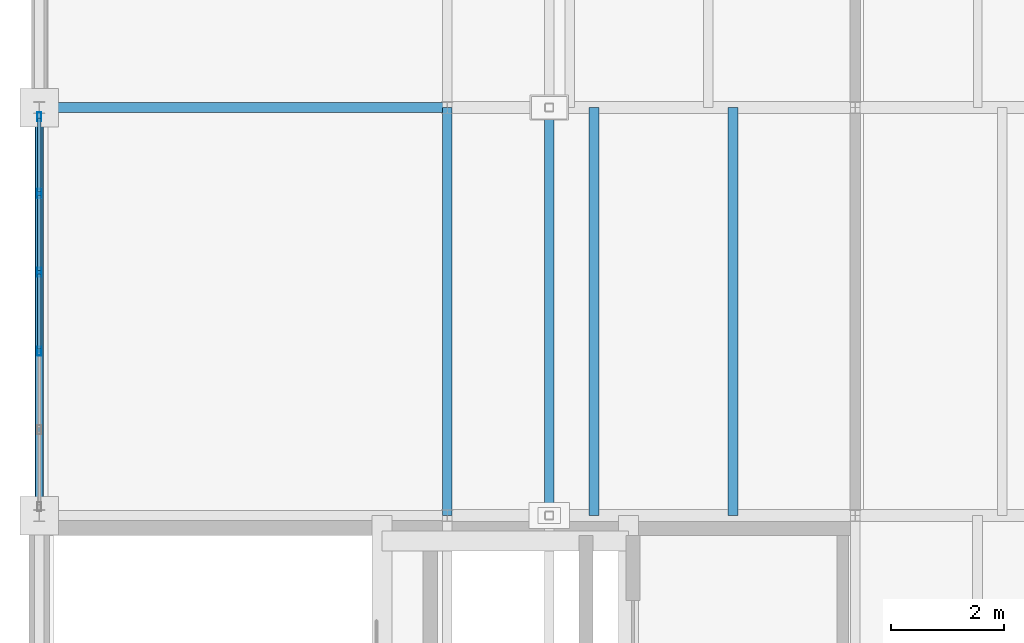
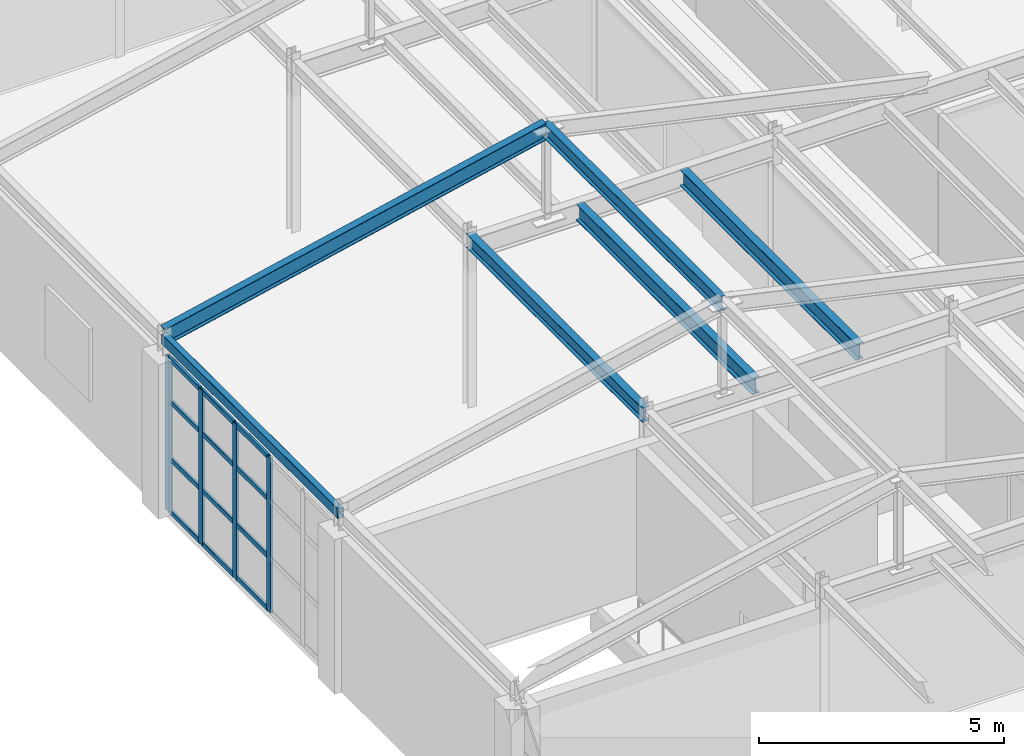
# One storey, part 17 of 43: 16 members, 6 beams, 1 element without a shape of its own.
"""IFC4 building model written with IfcOpenShell, lengths in metres."""

import ifcopenshell
import ifcopenshell.guid

model = None  # the IFC model being written
_history = None  # IfcOwnerHistory: only IFC2X3 demands one
_inside = {}  # id of a spatial element -> (the spatial element, [elements in it])
_under = {}  # id of a project, library or spatial element -> (it, [spatial elements below it])
_declared = {}  # id of a project -> (the project, [libraries it declares])
_typed = {}  # id of a type object -> (the type object, [elements of that type])
_made_of = {}  # id of a material, layer set ... -> (it, [elements and type objects made of it])


def new_model(schema):
    """Start an empty IFC model of exactly this schema.

    Asked for "IFC4X3", IfcOpenShell would pick the latest addendum, in which some entities
    have other attributes; the version numbers below select the first issue.
    IFC2X3 requires an IfcOwnerHistory on every rooted entity: one is made here for all.
    """
    global model, _history
    if schema == "IFC4X3":
        model = ifcopenshell.file(schema_version=(4, 3, 0, 0))
    else:
        model = ifcopenshell.file(schema=schema)
    _inside.clear()
    _under.clear()
    _declared.clear()
    _typed.clear()
    _made_of.clear()
    _history = None
    if model.schema == "IFC2X3":
        org = make("IfcOrganization", Name="unknown")
        user = make(
            "IfcPersonAndOrganization",
            ThePerson=make("IfcPerson", FamilyName="unknown"),
            TheOrganization=org,
        )
        app = make(
            "IfcApplication",
            ApplicationDeveloper=org,
            Version="unknown",
            ApplicationFullName="unknown",
            ApplicationIdentifier="unknown",
        )
        _history = make(
            "IfcOwnerHistory",
            OwningUser=user,
            OwningApplication=app,
            ChangeAction="ADDED",
            CreationDate=0,
        )
    return model


def make(cls, **values):
    """One entity of the class cls with the attributes given. An attribute that is None is left unset."""
    return model.create_entity(
        cls, **{name: value for name, value in values.items() if value is not None}
    )


def rooted(cls, **values):
    """An entity with a GlobalId (a new one), such as an element, a storey or a relation."""
    return make(cls, GlobalId=ifcopenshell.guid.new(), OwnerHistory=_history, **values)


def si_unit(unit_type, name, prefix=None):
    """IfcSIUnit, for example si_unit("LENGTHUNIT", "METRE", prefix="MILLI")."""
    return make("IfcSIUnit", UnitType=unit_type, Prefix=prefix, Name=name)


def assignment(units):
    """IfcUnitAssignment: the units of a project."""
    return None if units is None else make("IfcUnitAssignment", Units=units)


def point(xyz):
    """IfcCartesianPoint."""
    return None if xyz is None else make("IfcCartesianPoint", Coordinates=xyz)


def direction(xyz):
    """IfcDirection."""
    return None if xyz is None else make("IfcDirection", DirectionRatios=xyz)


def frame(location, z_axis=None, x_axis=None):
    """IfcAxis2Placement3D, a coordinate frame: its origin and axes. An axis left out is left unset."""
    return make(
        "IfcAxis2Placement3D",
        Location=point(location),
        Axis=direction(z_axis),
        RefDirection=direction(x_axis),
    )


def frame_2d(location, x_axis=None):
    """IfcAxis2Placement2D, a coordinate frame in the plane: its origin and x axis."""
    return make(
        "IfcAxis2Placement2D", Location=point(location), RefDirection=direction(x_axis)
    )


def origin():
    """The frame at (0, 0, 0) with its axes left unset."""
    return frame((0.0, 0.0, 0.0))


def origin_2d():
    """The frame at (0, 0) in the plane with its x axis left unset."""
    return frame_2d((0.0, 0.0))


def place(relative_to, where):
    """IfcLocalPlacement: puts the frame where relative to a parent placement (None: the world)."""
    return make(
        "IfcLocalPlacement", PlacementRelTo=relative_to, RelativePlacement=where
    )


def context(
    kind, dimensions, precision=None, world=None, true_north=None, identifier=None
):
    """IfcGeometricRepresentationContext, for example the 3D "Model" context."""
    return make(
        "IfcGeometricRepresentationContext",
        ContextIdentifier=identifier,
        ContextType=kind,
        CoordinateSpaceDimension=dimensions,
        Precision=precision,
        WorldCoordinateSystem=world,
        TrueNorth=true_north,
    )


def subcontext(parent, identifier, kind, view, scale=None):
    """IfcGeometricRepresentationSubContext, for example "Body" below "Model"."""
    return make(
        "IfcGeometricRepresentationSubContext",
        ContextIdentifier=identifier,
        ContextType=kind,
        ParentContext=parent,
        TargetScale=scale,
        TargetView=view,
    )


def project(units=None, contexts=None):
    """IfcProject with its units and contexts."""
    return rooted(
        "IfcProject",
        Name="project",
        RepresentationContexts=contexts,
        UnitsInContext=assignment(units),
    )


def spatial(cls, under=None, at=None, **own):
    """A site, building, storey or space (cls), placed at a placement, below another one or the project."""
    s = rooted(cls, ObjectPlacement=at, **own)
    if under is not None:
        _under.setdefault(under.id(), (under, []))[1].append(s)
    return s


def profile(cls, at=None, kind="AREA", **sizes):
    """A parametric profile (cls). Its sizes go by their IFC names, for example OverallWidth=200.0."""
    return make(cls, ProfileType=kind, Position=at, **sizes)


def hollow_rectangle(**sizes):
    """IfcRectangleHollowProfileDef."""
    return profile("IfcRectangleHollowProfileDef", **sizes)


def i_section(**sizes):
    """IfcIShapeProfileDef."""
    return profile("IfcIShapeProfileDef", **sizes)


def extrude(swept, where, along, depth):
    """IfcExtrudedAreaSolid: the profile swept, set in the frame where, extruded along a direction by depth."""
    return make(
        "IfcExtrudedAreaSolid",
        SweptArea=swept,
        Position=where,
        ExtrudedDirection=direction(along),
        Depth=depth,
    )


def shape(context_of_items, identifier, shape_type, items):
    """IfcShapeRepresentation: the items that make up one representation, for example the "Body"."""
    return make(
        "IfcShapeRepresentation",
        ContextOfItems=context_of_items,
        RepresentationIdentifier=identifier,
        RepresentationType=shape_type,
        Items=items,
    )


def material(Name=None, Category=None):
    """IfcMaterial."""
    return make("IfcMaterial", Name=Name, Category=Category)


def layer(
    of_material, thickness, ventilated=None, Name=None, Category=None, Priority=None
):
    """IfcMaterialLayer: one layer of a wall or slab, of a material (None: an air gap)."""
    return make(
        "IfcMaterialLayer",
        Material=of_material,
        LayerThickness=thickness,
        IsVentilated=ventilated,
        Name=Name,
        Category=Category,
        Priority=Priority,
    )


def layer_set(layers, Name=None):
    """IfcMaterialLayerSet."""
    return make("IfcMaterialLayerSet", MaterialLayers=layers, LayerSetName=Name)


def material_profile(
    of_material, cross_section, Name=None, Category=None, Priority=None
):
    """IfcMaterialProfile: a cross section and its material."""
    return make(
        "IfcMaterialProfile",
        Name=Name,
        Material=of_material,
        Profile=cross_section,
        Priority=Priority,
        Category=Category,
    )


def profile_set(profiles, Name=None, composite=None):
    """IfcMaterialProfileSet."""
    return make(
        "IfcMaterialProfileSet",
        Name=Name,
        MaterialProfiles=profiles,
        CompositeProfile=composite,
    )


def made_of(thing, what):
    """Note that an element or type object is made of a material, layer set ...; save() writes the relation."""
    if what is not None:
        _made_of.setdefault(what.id(), (what, []))[1].append(thing)
    return thing


def type_object(cls, material=None, **own):
    """A type object (cls), such as IfcWallType, which elements share."""
    return made_of(rooted(cls, **own), material)


def element(
    cls,
    number,
    at=None,
    inside=None,
    cuts=None,
    type_object=None,
    material=None,
    context=None,
    identifier="Body",
    shape_type=None,
    held_by="IfcProductDefinitionShape",
    body=None,
    shapes=None,
    **own,
):
    """One element of the class cls, such as IfcWall. Its Tag is "e" and its number.

    at: its placement. inside: the storey or other place that contains it. cuts: it is an
    opening in that element (IfcRelVoidsElement). A single representation is given by context,
    identifier, shape_type and body (its items); several are given by shapes. held_by: the class
    of the entity that holds the representations. save() writes the other relations.
    """
    e = rooted(cls, Tag="e%d" % number, ObjectPlacement=at, **own)
    if body is not None:
        shapes = [shape(context, identifier, shape_type, body)]
    if shapes is not None:
        e.Representation = make(held_by, Representations=shapes)
    if inside is not None:
        _inside.setdefault(inside.id(), (inside, []))[1].append(e)
    if cuts is not None:
        rooted(
            "IfcRelVoidsElement", RelatingBuildingElement=cuts, RelatedOpeningElement=e
        )
    if type_object is not None:
        _typed.setdefault(type_object.id(), (type_object, []))[1].append(e)
    return made_of(e, material)


def aggregate(whole, parts):
    """IfcRelAggregates: a whole, such as a stair, and the parts it consists of."""
    return rooted("IfcRelAggregates", RelatingObject=whole, RelatedObjects=parts)


def save(model, path):
    """Write the relations noted so far, then the file.

    IfcRelAggregates (storeys below a building ...), IfcRelContainedInSpatialStructure (elements
    in a storey), IfcRelDefinesByType, IfcRelAssociatesMaterial and IfcRelDeclares: one each for
    every whole, place, type object, material and project.
    """
    for whole, parts in _under.values():
        aggregate(whole, parts)
    for where, things in _inside.values():
        rooted(
            "IfcRelContainedInSpatialStructure",
            RelatedElements=things,
            RelatingStructure=where,
        )
    for kind, things in _typed.values():
        rooted("IfcRelDefinesByType", RelatedObjects=things, RelatingType=kind)
    for what, things in _made_of.values():
        rooted("IfcRelAssociatesMaterial", RelatedObjects=things, RelatingMaterial=what)
    for by, libraries in _declared.values():
        rooted("IfcRelDeclares", RelatingContext=by, RelatedDefinitions=libraries)
    model.write(path)


model = new_model("IFC4")

# Units and contexts
model_context = context("Model", 3, precision=1e-05, world=origin(), true_north=direction((0.0, 1.0)))
body_context = subcontext(model_context, "Body", "Model", "MODEL_VIEW")
ifc_project = project(units=[si_unit("LENGTHUNIT", "METRE"), si_unit("AREAUNIT", "SQUARE_METRE"), si_unit("VOLUMEUNIT", "CUBIC_METRE"), si_unit("PLANEANGLEUNIT", "RADIAN"), si_unit("MASSUNIT", "GRAM", prefix="KILO")], contexts=[model_context])

# Site, building, storey
site_placement = place(None, origin())
site = spatial("IfcSite", under=ifc_project, at=site_placement, CompositionType="ELEMENT")
building_placement = place(site_placement, origin())
building = spatial("IfcBuilding", under=site, at=building_placement, Name="Kemerveld Promenade Tramway Depot", CompositionType="ELEMENT")
storey_placement = place(building_placement, frame((0.0, 0.0, 18.89990234375)))
storey = spatial("IfcBuildingStorey", under=building, at=storey_placement, Name="L04", CompositionType="ELEMENT", Elevation=18.89990234375)

# Beams
ifc_material_1 = material(Name="Steel S355", Category="steel")
ifc_material_profile_1 = material_profile(ifc_material_1, i_section(OverallWidth=0.1787109375, OverallDepth=0.409423828125, WebThickness=0.0087890625, FlangeThickness=0.014404296875, FilletRadius=0.01025390625, at=origin_2d()), Name="406x178x67 UB")
ifc_profile_set_1 = profile_set([ifc_material_profile_1], Name="Steel S355")
beam_type_1 = type_object("IfcBeamType", Name="BM-G07", PredefinedType="BEAM", material=ifc_profile_set_1)
beam_1_placement = place(storey_placement, frame((0.0, 28.800048828125, 4.275390625), z_axis=(0.976187060184, 0.0, 0.216930457819), x_axis=(0.0, 1.0, 0.0)))
element("IfcBeam", 1, at=beam_1_placement, inside=storey, type_object=beam_type_1, Name="RAF-V5-E-W", PredefinedType="BEAM", context=body_context, shape_type="SweptSolid", body=[
    extrude(i_section(OverallWidth=0.1787109375, OverallDepth=0.409423828125, WebThickness=0.0087890625, FlangeThickness=0.014404296875, FilletRadius=0.01025390625, at=origin_2d()), origin(), (0.0, 0.0, 1.0), 9.219482421875),
])
ifc_material_profile_2 = material_profile(ifc_material_1, i_section(OverallWidth=0.172119140625, OverallDepth=0.35791015625, WebThickness=0.008056640625, FlangeThickness=0.012939453125, FilletRadius=0.01025390625, at=origin_2d()), Name="356x171x57 UB")
ifc_profile_set_2 = profile_set([ifc_material_profile_2], Name="Steel S355")
beam_type_2 = type_object("IfcBeamType", Name="BM-G08", PredefinedType="BEAM", material=ifc_profile_set_2)
for number, where, z_axis, x_axis, name in (
    (2, (7.199951171875, 21.60009765625, 4.14111328125), (0.0, 1.0, 0.0), (-1.0, 0.0, 0.0), "BMY-L04-02-D-E"),
    (3, (9.0, 21.60009765625, 6.275390625), (0.0, 1.0, 0.0), (-1.0, 0.0, 0.0), "BM-RDG-V5-4"),
):
    element("IfcBeam", number, at=place(storey_placement, frame(where, z_axis=z_axis, x_axis=x_axis)), inside=storey, type_object=beam_type_2, Name=name, PredefinedType="BEAM", context=body_context, shape_type="SweptSolid", body=[
        extrude(i_section(OverallWidth=0.172119140625, OverallDepth=0.35791015625, WebThickness=0.008056640625, FlangeThickness=0.012939453125, FilletRadius=0.01025390625, at=origin_2d()), origin(), (0.0, 0.0, 1.0), 7.199951171875),
    ])
ifc_material_profile_3 = material_profile(ifc_material_1, i_section(OverallWidth=0.1787109375, OverallDepth=0.409423828125, WebThickness=0.0087890625, FlangeThickness=0.014404296875, FilletRadius=0.01025390625, at=origin_2d()), Name="406x178x67 UB")
ifc_profile_set_3 = profile_set([ifc_material_profile_3], Name="Steel S355")
beam_type_3 = type_object("IfcBeamType", Name="BM-J05", PredefinedType="JOIST", material=ifc_profile_set_3)
for number, where, z_axis, x_axis, name in (
    (4, (9.7919921875, 21.60009765625, 3.950439453125), (0.0, 1.0, 0.0), (-1.0, 0.0, 0.0), "JST-L04-02-D-1"),
    (5, (12.239990234375, 21.60009765625, 3.950439453125), (0.0, 1.0, 0.0), (-1.0, 0.0, 0.0), "JST-L04-02-D-2"),
):
    element("IfcBeam", number, at=place(storey_placement, frame(where, z_axis=z_axis, x_axis=x_axis)), inside=storey, type_object=beam_type_3, Name=name, PredefinedType="JOIST", context=body_context, shape_type="SweptSolid", body=[
        extrude(i_section(OverallWidth=0.1787109375, OverallDepth=0.409423828125, WebThickness=0.0087890625, FlangeThickness=0.014404296875, FilletRadius=0.01025390625, at=origin_2d()), origin(), (0.0, 0.0, 1.0), 7.199951171875),
    ])
ifc_material_profile_4 = material_profile(ifc_material_1, hollow_rectangle(XDim=0.14990234375, YDim=0.25, WallThickness=0.010009765625, InnerFilletRadius=0.0048828125, OuterFilletRadius=0.014892578125, at=origin_2d()), Name="250x150x10.0 RHS")
ifc_profile_set_4 = profile_set([ifc_material_profile_4], Name="Steel S355")
beam_type_4 = type_object("IfcBeamType", Name="BM-SP2", PredefinedType="SPANDREL", material=ifc_profile_set_4)
beam_2_placement = place(storey_placement, frame((0.0, 21.60009765625, 4.195068359375), z_axis=(0.0, 1.0, 0.0), x_axis=(-1.0, 0.0, 0.0)))
element("IfcBeam", 6, at=beam_2_placement, inside=storey, type_object=beam_type_4, Name="BMY-L04-01-D-E", PredefinedType="SPANDREL", context=body_context, shape_type="SweptSolid", body=[
    extrude(hollow_rectangle(XDim=0.14990234375, YDim=0.25, WallThickness=0.010009765625, InnerFilletRadius=0.0048828125, OuterFilletRadius=0.014892578125, at=origin_2d()), origin(), (0.0, 0.0, 1.0), 7.199951171875),
])

# Curtain wall, members
ifc_material_2 = material(Name="Bronze anodised aluminium and solar glass", Category="aluminium")
ifc_layer = layer(ifc_material_2, 0.159912109375)
ifc_layer_set = layer_set([ifc_layer], Name="CW-SYS-07")
curtain_wall_type = type_object("IfcCurtainWallType", Name="CW-SYS-07", PredefinedType="USERDEFINED", material=ifc_layer_set)
curtain_wall_placement = place(storey_placement, origin())
curtain_wall = element("IfcCurtainWall", 7, at=curtain_wall_placement, inside=storey, type_object=curtain_wall_type, Name="CW-L04-V5W-04", ObjectType="GLAZED_CURTAIN_WALL", PredefinedType="USERDEFINED")
ifc_material_3 = material(Name="Bronze anodised aluminium", Category="aluminium")
ifc_material_profile_5 = material_profile(ifc_material_3, hollow_rectangle(XDim=0.06494140625, YDim=0.159912109375, WallThickness=0.00390625, InnerFilletRadius=0.001953125, OuterFilletRadius=0.00390625, at=origin_2d()), Name="CW-MUL-160x65")
ifc_profile_set_5 = profile_set([ifc_material_profile_5], Name="Bronze anodised aluminium")
member_type_1 = type_object("IfcMemberType", Name="CW-MUL-A", PredefinedType="MULLION", material=ifc_profile_set_5)
member_1_placement = place(storey_placement, frame((0.0, 24.5048828125, 0.0), z_axis=(0.0, 0.0, 1.0), x_axis=(-1.0, 0.0, 0.0)))
member_1 = element("IfcMember", 8, at=member_1_placement, type_object=member_type_1, Name="CW07 mullion 3", PredefinedType="MULLION", context=body_context, shape_type="SweptSolid", body=[
    extrude(hollow_rectangle(XDim=0.06494140625, YDim=0.159912109375, WallThickness=0.00390625, InnerFilletRadius=0.001953125, OuterFilletRadius=0.00390625, at=origin_2d()), origin(), (0.0, 0.0, 1.0), 3.85009765625),
])
member_2_placement = place(storey_placement, frame((0.0, 25.89501953125, 0.0), z_axis=(0.0, 0.0, 1.0), x_axis=(-1.0, 0.0, 0.0)))
member_2 = element("IfcMember", 9, at=member_2_placement, type_object=member_type_1, Name="CW07 mullion 4", PredefinedType="MULLION", context=body_context, shape_type="SweptSolid", body=[
    extrude(hollow_rectangle(XDim=0.06494140625, YDim=0.159912109375, WallThickness=0.00390625, InnerFilletRadius=0.001953125, OuterFilletRadius=0.00390625, at=origin_2d()), origin(), (0.0, 0.0, 1.0), 3.85009765625),
])
member_3_placement = place(storey_placement, frame((0.0, 27.28515625, 0.0), z_axis=(0.0, 0.0, 1.0), x_axis=(-1.0, 0.0, 0.0)))
member_3 = element("IfcMember", 10, at=member_3_placement, type_object=member_type_1, Name="CW07 mullion 5", PredefinedType="MULLION", context=body_context, shape_type="SweptSolid", body=[
    extrude(hollow_rectangle(XDim=0.06494140625, YDim=0.159912109375, WallThickness=0.00390625, InnerFilletRadius=0.001953125, OuterFilletRadius=0.00390625, at=origin_2d()), origin(), (0.0, 0.0, 1.0), 3.85009765625),
])
member_4_placement = place(storey_placement, frame((0.0, 28.642578125, 0.0), z_axis=(0.0, 0.0, 1.0), x_axis=(-1.0, 0.0, 0.0)))
member_4 = element("IfcMember", 11, at=member_4_placement, type_object=member_type_1, Name="CW07 mullion 6", PredefinedType="MULLION", context=body_context, shape_type="SweptSolid", body=[
    extrude(hollow_rectangle(XDim=0.06494140625, YDim=0.159912109375, WallThickness=0.00390625, InnerFilletRadius=0.001953125, OuterFilletRadius=0.00390625, at=origin_2d()), origin(), (0.0, 0.0, 1.0), 3.85009765625),
])
ifc_material_profile_6 = material_profile(ifc_material_3, hollow_rectangle(XDim=0.06005859375, YDim=0.1201171875, WallThickness=0.00390625, InnerFilletRadius=0.001953125, OuterFilletRadius=0.00390625, at=origin_2d()), Name="CW-TRN-120x60")
ifc_profile_set_6 = profile_set([ifc_material_profile_6], Name="Bronze anodised aluminium")
member_type_2 = type_object("IfcMemberType", Name="CW-TRN-A", PredefinedType="USERDEFINED", material=ifc_profile_set_6)
member_5_placement = place(storey_placement, frame((0.0, 24.537353515625, 0.030029296875), z_axis=(0.0, 1.0, 0.0), x_axis=(-1.0, 0.0, 0.0)))
member_5 = element("IfcMember", 12, at=member_5_placement, type_object=member_type_2, Name="CW07 transom 3.1", ObjectType="TRANSOM", PredefinedType="USERDEFINED", context=body_context, shape_type="SweptSolid", body=[
    extrude(hollow_rectangle(XDim=0.06005859375, YDim=0.1201171875, WallThickness=0.00390625, InnerFilletRadius=0.001953125, OuterFilletRadius=0.00390625, at=origin_2d()), origin(), (0.0, 0.0, 1.0), 1.3251953125),
])
member_6_placement = place(storey_placement, frame((0.0, 24.537353515625, 1.34716796875), z_axis=(0.0, 1.0, 0.0), x_axis=(-1.0, 0.0, 0.0)))
member_6 = element("IfcMember", 13, at=member_6_placement, type_object=member_type_2, Name="CW07 transom 3.2", ObjectType="TRANSOM", PredefinedType="USERDEFINED", context=body_context, shape_type="SweptSolid", body=[
    extrude(hollow_rectangle(XDim=0.06005859375, YDim=0.1201171875, WallThickness=0.00390625, InnerFilletRadius=0.001953125, OuterFilletRadius=0.00390625, at=origin_2d()), origin(), (0.0, 0.0, 1.0), 1.3251953125),
])
member_7_placement = place(storey_placement, frame((0.0, 24.537353515625, 2.772216796875), z_axis=(0.0, 1.0, 0.0), x_axis=(-1.0, 0.0, 0.0)))
member_7 = element("IfcMember", 14, at=member_7_placement, type_object=member_type_2, Name="CW07 transom 3.3", ObjectType="TRANSOM", PredefinedType="USERDEFINED", context=body_context, shape_type="SweptSolid", body=[
    extrude(hollow_rectangle(XDim=0.06005859375, YDim=0.1201171875, WallThickness=0.00390625, InnerFilletRadius=0.001953125, OuterFilletRadius=0.00390625, at=origin_2d()), origin(), (0.0, 0.0, 1.0), 1.3251953125),
])
member_8_placement = place(storey_placement, frame((0.0, 24.537353515625, 3.820068359375), z_axis=(0.0, 1.0, 0.0), x_axis=(-1.0, 0.0, 0.0)))
member_8 = element("IfcMember", 15, at=member_8_placement, type_object=member_type_2, Name="CW07 transom 3.4", ObjectType="TRANSOM", PredefinedType="USERDEFINED", context=body_context, shape_type="SweptSolid", body=[
    extrude(hollow_rectangle(XDim=0.06005859375, YDim=0.1201171875, WallThickness=0.00390625, InnerFilletRadius=0.001953125, OuterFilletRadius=0.00390625, at=origin_2d()), origin(), (0.0, 0.0, 1.0), 1.3251953125),
])
member_9_placement = place(storey_placement, frame((0.0, 25.927490234375, 0.030029296875), z_axis=(0.0, 1.0, 0.0), x_axis=(-1.0, 0.0, 0.0)))
member_9 = element("IfcMember", 16, at=member_9_placement, type_object=member_type_2, Name="CW07 transom 4.1", ObjectType="TRANSOM", PredefinedType="USERDEFINED", context=body_context, shape_type="SweptSolid", body=[
    extrude(hollow_rectangle(XDim=0.06005859375, YDim=0.1201171875, WallThickness=0.00390625, InnerFilletRadius=0.001953125, OuterFilletRadius=0.00390625, at=origin_2d()), origin(), (0.0, 0.0, 1.0), 1.3251953125),
])
member_10_placement = place(storey_placement, frame((0.0, 25.927490234375, 1.34716796875), z_axis=(0.0, 1.0, 0.0), x_axis=(-1.0, 0.0, 0.0)))
member_10 = element("IfcMember", 17, at=member_10_placement, type_object=member_type_2, Name="CW07 transom 4.2", ObjectType="TRANSOM", PredefinedType="USERDEFINED", context=body_context, shape_type="SweptSolid", body=[
    extrude(hollow_rectangle(XDim=0.06005859375, YDim=0.1201171875, WallThickness=0.00390625, InnerFilletRadius=0.001953125, OuterFilletRadius=0.00390625, at=origin_2d()), origin(), (0.0, 0.0, 1.0), 1.3251953125),
])
member_11_placement = place(storey_placement, frame((0.0, 25.927490234375, 2.772216796875), z_axis=(0.0, 1.0, 0.0), x_axis=(-1.0, 0.0, 0.0)))
member_11 = element("IfcMember", 18, at=member_11_placement, type_object=member_type_2, Name="CW07 transom 4.3", ObjectType="TRANSOM", PredefinedType="USERDEFINED", context=body_context, shape_type="SweptSolid", body=[
    extrude(hollow_rectangle(XDim=0.06005859375, YDim=0.1201171875, WallThickness=0.00390625, InnerFilletRadius=0.001953125, OuterFilletRadius=0.00390625, at=origin_2d()), origin(), (0.0, 0.0, 1.0), 1.3251953125),
])
member_12_placement = place(storey_placement, frame((0.0, 25.927490234375, 3.820068359375), z_axis=(0.0, 1.0, 0.0), x_axis=(-1.0, 0.0, 0.0)))
member_12 = element("IfcMember", 19, at=member_12_placement, type_object=member_type_2, Name="CW07 transom 4.4", ObjectType="TRANSOM", PredefinedType="USERDEFINED", context=body_context, shape_type="SweptSolid", body=[
    extrude(hollow_rectangle(XDim=0.06005859375, YDim=0.1201171875, WallThickness=0.00390625, InnerFilletRadius=0.001953125, OuterFilletRadius=0.00390625, at=origin_2d()), origin(), (0.0, 0.0, 1.0), 1.3251953125),
])
member_13_placement = place(storey_placement, frame((0.0, 27.317626953125, 0.030029296875), z_axis=(0.0, 1.0, 0.0), x_axis=(-1.0, 0.0, 0.0)))
member_13 = element("IfcMember", 20, at=member_13_placement, type_object=member_type_2, Name="CW07 transom 5.1", ObjectType="TRANSOM", PredefinedType="USERDEFINED", context=body_context, shape_type="SweptSolid", body=[
    extrude(hollow_rectangle(XDim=0.06005859375, YDim=0.1201171875, WallThickness=0.00390625, InnerFilletRadius=0.001953125, OuterFilletRadius=0.00390625, at=origin_2d()), origin(), (0.0, 0.0, 1.0), 1.29248046875),
])
member_14_placement = place(storey_placement, frame((0.0, 27.317626953125, 1.34716796875), z_axis=(0.0, 1.0, 0.0), x_axis=(-1.0, 0.0, 0.0)))
member_14 = element("IfcMember", 21, at=member_14_placement, type_object=member_type_2, Name="CW07 transom 5.2", ObjectType="TRANSOM", PredefinedType="USERDEFINED", context=body_context, shape_type="SweptSolid", body=[
    extrude(hollow_rectangle(XDim=0.06005859375, YDim=0.1201171875, WallThickness=0.00390625, InnerFilletRadius=0.001953125, OuterFilletRadius=0.00390625, at=origin_2d()), origin(), (0.0, 0.0, 1.0), 1.29248046875),
])
member_15_placement = place(storey_placement, frame((0.0, 27.317626953125, 2.772216796875), z_axis=(0.0, 1.0, 0.0), x_axis=(-1.0, 0.0, 0.0)))
member_15 = element("IfcMember", 22, at=member_15_placement, type_object=member_type_2, Name="CW07 transom 5.3", ObjectType="TRANSOM", PredefinedType="USERDEFINED", context=body_context, shape_type="SweptSolid", body=[
    extrude(hollow_rectangle(XDim=0.06005859375, YDim=0.1201171875, WallThickness=0.00390625, InnerFilletRadius=0.001953125, OuterFilletRadius=0.00390625, at=origin_2d()), origin(), (0.0, 0.0, 1.0), 1.29248046875),
])
member_16_placement = place(storey_placement, frame((0.0, 27.317626953125, 3.820068359375), z_axis=(0.0, 1.0, 0.0), x_axis=(-1.0, 0.0, 0.0)))
member_16 = element("IfcMember", 23, at=member_16_placement, type_object=member_type_2, Name="CW07 transom 5.4", ObjectType="TRANSOM", PredefinedType="USERDEFINED", context=body_context, shape_type="SweptSolid", body=[
    extrude(hollow_rectangle(XDim=0.06005859375, YDim=0.1201171875, WallThickness=0.00390625, InnerFilletRadius=0.001953125, OuterFilletRadius=0.00390625, at=origin_2d()), origin(), (0.0, 0.0, 1.0), 1.29248046875),
])
aggregate(curtain_wall, [member_1, member_2, member_3, member_4, member_5, member_6, member_7, member_8, member_9, member_10, member_11, member_12, member_13, member_14, member_15, member_16])

save(model, "model.ifc")
